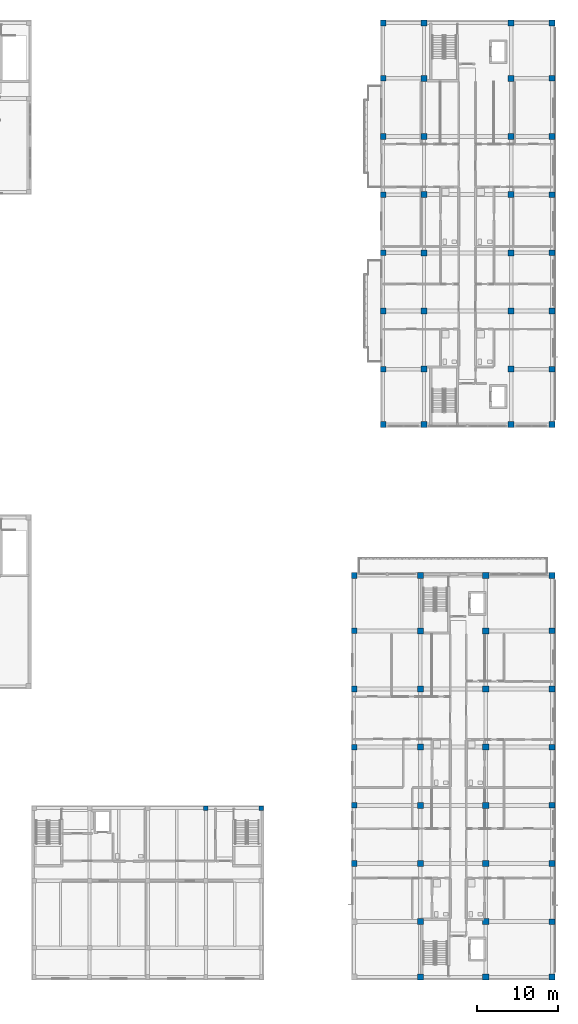
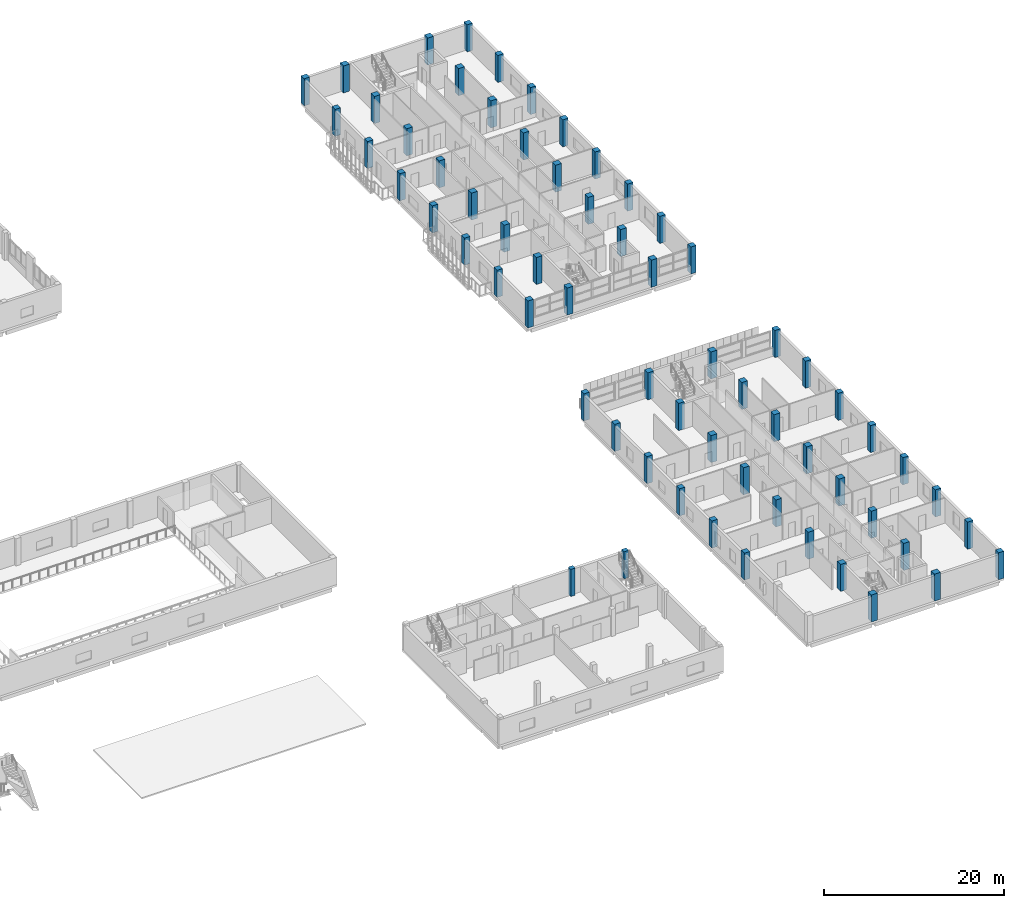
# One storey, part 2 of 73: 64 columns.
"""IFC4 building model written with IfcOpenShell, lengths in metres."""

import ifcopenshell
import ifcopenshell.guid

model = None  # the IFC model being written
_history = None  # IfcOwnerHistory: only IFC2X3 demands one
_inside = {}  # id of a spatial element -> (the spatial element, [elements in it])
_under = {}  # id of a project, library or spatial element -> (it, [spatial elements below it])
_declared = {}  # id of a project -> (the project, [libraries it declares])
_typed = {}  # id of a type object -> (the type object, [elements of that type])
_made_of = {}  # id of a material, layer set ... -> (it, [elements and type objects made of it])


def new_model(schema):
    """Start an empty IFC model of exactly this schema.

    Asked for "IFC4X3", IfcOpenShell would pick the latest addendum, in which some entities
    have other attributes; the version numbers below select the first issue.
    IFC2X3 requires an IfcOwnerHistory on every rooted entity: one is made here for all.
    """
    global model, _history
    if schema == "IFC4X3":
        model = ifcopenshell.file(schema_version=(4, 3, 0, 0))
    else:
        model = ifcopenshell.file(schema=schema)
    _inside.clear()
    _under.clear()
    _declared.clear()
    _typed.clear()
    _made_of.clear()
    _history = None
    if model.schema == "IFC2X3":
        org = make("IfcOrganization", Name="unknown")
        user = make(
            "IfcPersonAndOrganization",
            ThePerson=make("IfcPerson", FamilyName="unknown"),
            TheOrganization=org,
        )
        app = make(
            "IfcApplication",
            ApplicationDeveloper=org,
            Version="unknown",
            ApplicationFullName="unknown",
            ApplicationIdentifier="unknown",
        )
        _history = make(
            "IfcOwnerHistory",
            OwningUser=user,
            OwningApplication=app,
            ChangeAction="ADDED",
            CreationDate=0,
        )
    return model


def make(cls, **values):
    """One entity of the class cls with the attributes given. An attribute that is None is left unset."""
    return model.create_entity(
        cls, **{name: value for name, value in values.items() if value is not None}
    )


def rooted(cls, **values):
    """An entity with a GlobalId (a new one), such as an element, a storey or a relation."""
    return make(cls, GlobalId=ifcopenshell.guid.new(), OwnerHistory=_history, **values)


def si_unit(unit_type, name, prefix=None):
    """IfcSIUnit, for example si_unit("LENGTHUNIT", "METRE", prefix="MILLI")."""
    return make("IfcSIUnit", UnitType=unit_type, Prefix=prefix, Name=name)


def derived_unit(unit_type, elements):
    """IfcDerivedUnit: a product of units, each with its exponent."""
    return make(
        "IfcDerivedUnit",
        Elements=[
            make("IfcDerivedUnitElement", Unit=unit, Exponent=power)
            for unit, power in elements
        ],
        UnitType=unit_type,
    )


def assignment(units):
    """IfcUnitAssignment: the units of a project."""
    return None if units is None else make("IfcUnitAssignment", Units=units)


def point(xyz):
    """IfcCartesianPoint."""
    return None if xyz is None else make("IfcCartesianPoint", Coordinates=xyz)


def direction(xyz):
    """IfcDirection."""
    return None if xyz is None else make("IfcDirection", DirectionRatios=xyz)


def frame(location, z_axis=None, x_axis=None):
    """IfcAxis2Placement3D, a coordinate frame: its origin and axes. An axis left out is left unset."""
    return make(
        "IfcAxis2Placement3D",
        Location=point(location),
        Axis=direction(z_axis),
        RefDirection=direction(x_axis),
    )


def frame_2d(location, x_axis=None):
    """IfcAxis2Placement2D, a coordinate frame in the plane: its origin and x axis."""
    return make(
        "IfcAxis2Placement2D", Location=point(location), RefDirection=direction(x_axis)
    )


def origin():
    """The frame at (0, 0, 0) with its axes left unset."""
    return frame((0.0, 0.0, 0.0))


def origin_2d():
    """The frame at (0, 0) in the plane with its x axis left unset."""
    return frame_2d((0.0, 0.0))


def place(relative_to, where):
    """IfcLocalPlacement: puts the frame where relative to a parent placement (None: the world)."""
    return make(
        "IfcLocalPlacement", PlacementRelTo=relative_to, RelativePlacement=where
    )


def context(
    kind, dimensions, precision=None, world=None, true_north=None, identifier=None
):
    """IfcGeometricRepresentationContext, for example the 3D "Model" context."""
    return make(
        "IfcGeometricRepresentationContext",
        ContextIdentifier=identifier,
        ContextType=kind,
        CoordinateSpaceDimension=dimensions,
        Precision=precision,
        WorldCoordinateSystem=world,
        TrueNorth=true_north,
    )


def subcontext(parent, identifier, kind, view, scale=None):
    """IfcGeometricRepresentationSubContext, for example "Body" below "Model"."""
    return make(
        "IfcGeometricRepresentationSubContext",
        ContextIdentifier=identifier,
        ContextType=kind,
        ParentContext=parent,
        TargetScale=scale,
        TargetView=view,
    )


def project(units=None, contexts=None):
    """IfcProject with its units and contexts."""
    return rooted(
        "IfcProject",
        Name="project",
        RepresentationContexts=contexts,
        UnitsInContext=assignment(units),
    )


def spatial(cls, under=None, at=None, **own):
    """A site, building, storey or space (cls), placed at a placement, below another one or the project."""
    s = rooted(cls, ObjectPlacement=at, **own)
    if under is not None:
        _under.setdefault(under.id(), (under, []))[1].append(s)
    return s


def profile(cls, at=None, kind="AREA", **sizes):
    """A parametric profile (cls). Its sizes go by their IFC names, for example OverallWidth=200.0."""
    return make(cls, ProfileType=kind, Position=at, **sizes)


def rectangle(**sizes):
    """IfcRectangleProfileDef."""
    return profile("IfcRectangleProfileDef", **sizes)


def extrude(swept, where, along, depth):
    """IfcExtrudedAreaSolid: the profile swept, set in the frame where, extruded along a direction by depth."""
    return make(
        "IfcExtrudedAreaSolid",
        SweptArea=swept,
        Position=where,
        ExtrudedDirection=direction(along),
        Depth=depth,
    )


def shape(context_of_items, identifier, shape_type, items):
    """IfcShapeRepresentation: the items that make up one representation, for example the "Body"."""
    return make(
        "IfcShapeRepresentation",
        ContextOfItems=context_of_items,
        RepresentationIdentifier=identifier,
        RepresentationType=shape_type,
        Items=items,
    )


def material(Name=None, Category=None):
    """IfcMaterial."""
    return make("IfcMaterial", Name=Name, Category=Category)


def material_profile(
    of_material, cross_section, Name=None, Category=None, Priority=None
):
    """IfcMaterialProfile: a cross section and its material."""
    return make(
        "IfcMaterialProfile",
        Name=Name,
        Material=of_material,
        Profile=cross_section,
        Priority=Priority,
        Category=Category,
    )


def profile_set(profiles, Name=None, composite=None):
    """IfcMaterialProfileSet."""
    return make(
        "IfcMaterialProfileSet",
        Name=Name,
        MaterialProfiles=profiles,
        CompositeProfile=composite,
    )


def made_of(thing, what):
    """Note that an element or type object is made of a material, layer set ...; save() writes the relation."""
    if what is not None:
        _made_of.setdefault(what.id(), (what, []))[1].append(thing)
    return thing


def type_object(cls, material=None, **own):
    """A type object (cls), such as IfcWallType, which elements share."""
    return made_of(rooted(cls, **own), material)


def element(
    cls,
    number,
    at=None,
    inside=None,
    cuts=None,
    type_object=None,
    material=None,
    context=None,
    identifier="Body",
    shape_type=None,
    held_by="IfcProductDefinitionShape",
    body=None,
    shapes=None,
    **own,
):
    """One element of the class cls, such as IfcWall. Its Tag is "e" and its number.

    at: its placement. inside: the storey or other place that contains it. cuts: it is an
    opening in that element (IfcRelVoidsElement). A single representation is given by context,
    identifier, shape_type and body (its items); several are given by shapes. held_by: the class
    of the entity that holds the representations. save() writes the other relations.
    """
    e = rooted(cls, Tag="e%d" % number, ObjectPlacement=at, **own)
    if body is not None:
        shapes = [shape(context, identifier, shape_type, body)]
    if shapes is not None:
        e.Representation = make(held_by, Representations=shapes)
    if inside is not None:
        _inside.setdefault(inside.id(), (inside, []))[1].append(e)
    if cuts is not None:
        rooted(
            "IfcRelVoidsElement", RelatingBuildingElement=cuts, RelatedOpeningElement=e
        )
    if type_object is not None:
        _typed.setdefault(type_object.id(), (type_object, []))[1].append(e)
    return made_of(e, material)


def aggregate(whole, parts):
    """IfcRelAggregates: a whole, such as a stair, and the parts it consists of."""
    return rooted("IfcRelAggregates", RelatingObject=whole, RelatedObjects=parts)


def save(model, path):
    """Write the relations noted so far, then the file.

    IfcRelAggregates (storeys below a building ...), IfcRelContainedInSpatialStructure (elements
    in a storey), IfcRelDefinesByType, IfcRelAssociatesMaterial and IfcRelDeclares: one each for
    every whole, place, type object, material and project.
    """
    for whole, parts in _under.values():
        aggregate(whole, parts)
    for where, things in _inside.values():
        rooted(
            "IfcRelContainedInSpatialStructure",
            RelatedElements=things,
            RelatingStructure=where,
        )
    for kind, things in _typed.values():
        rooted("IfcRelDefinesByType", RelatedObjects=things, RelatingType=kind)
    for what, things in _made_of.values():
        rooted("IfcRelAssociatesMaterial", RelatedObjects=things, RelatingMaterial=what)
    for by, libraries in _declared.values():
        rooted("IfcRelDeclares", RelatingContext=by, RelatedDefinitions=libraries)
    model.write(path)


model = new_model("IFC4")

# Units and contexts
model_context = context("Model", 3, precision=1e-05, world=origin(), true_north=direction((0.0, 1.0)))
body_context = subcontext(model_context, "Body", "Model", "MODEL_VIEW")
ifc_project = project(units=[si_unit("LENGTHUNIT", "METRE"), si_unit("AREAUNIT", "SQUARE_METRE"), si_unit("VOLUMEUNIT", "CUBIC_METRE"), si_unit("PLANEANGLEUNIT", "RADIAN"), si_unit("MASSUNIT", "GRAM", prefix="KILO"), derived_unit("THERMALTRANSMITTANCEUNIT", [(si_unit("MASSUNIT", "GRAM", prefix="KILO"), 1), (si_unit("TIMEUNIT", "SECOND"), -3), (si_unit("THERMODYNAMICTEMPERATUREUNIT", "KELVIN"), -1)])], contexts=[model_context])

# Site, building, storey
site_placement = place(None, origin())
site = spatial("IfcSite", under=ifc_project, at=site_placement, CompositionType="ELEMENT")
building_placement = place(site_placement, origin())
building = spatial("IfcBuilding", under=site, at=building_placement, Name="Ochrekiln Boulevard Commons", CompositionType="ELEMENT")
storey_placement = place(building_placement, frame((0.0, 0.0, 4.89990234375)))
storey = spatial("IfcBuildingStorey", under=building, at=storey_placement, Name="L01", CompositionType="ELEMENT", Elevation=4.89990234375)

# Columns
ifc_material_1 = material(Name="Concrete C35/45", Category="concrete")
ifc_material_profile_1 = material_profile(ifc_material_1, rectangle(XDim=0.550048828125, YDim=0.550048828125, at=origin_2d()), Name="RC-COL-550x550")
ifc_profile_set_1 = profile_set([ifc_material_profile_1], Name="Concrete C35/45")
column_type_1 = type_object("IfcColumnType", Name="COL-RC-550", PredefinedType="COLUMN", material=ifc_profile_set_1)
for number, where, z_axis, x_axis, name in (
    (1, (129.60009765625, 21.25, 0.0), (0.0, 0.0, 1.0), (1.0, 0.0, 0.0), "East Boulevard Shops and Arcade L01 Column C-550 (16)"),
    (2, (136.449951171875, 21.25, 0.0), (0.0, 0.0, 1.0), (1.0, 0.0, 0.0), "East Boulevard Shops and Arcade L01 Column C-550 (20)"),
):
    element("IfcColumn", number, at=place(storey_placement, frame(where, z_axis=z_axis, x_axis=x_axis)), inside=storey, type_object=column_type_1, Name=name, PredefinedType="COLUMN", context=body_context, shape_type="SweptSolid", body=[
        extrude(rectangle(XDim=0.550048828125, YDim=0.550048828125, at=origin_2d()), origin(), (0.0, 0.0, 1.0), 3.675048828125),
    ])
ifc_material_2 = material(Name="Concrete C40/50", Category="concrete")
ifc_material_profile_2 = material_profile(ifc_material_2, rectangle(XDim=0.699951171875, YDim=0.699951171875, at=origin_2d()), Name="RC-COL-700x700")
ifc_profile_set_2 = profile_set([ifc_material_profile_2], Name="Concrete C40/50")
column_type_2 = type_object("IfcColumnType", Name="COL-RC-700", PredefinedType="COLUMN", material=ifc_profile_set_2)
for number, where, z_axis, x_axis, name in (
    (3, (151.550048828125, 68.75, 0.0), (0.0, 0.0, 1.0), (1.0, 0.0, 0.0), "Block B L01 Column C-700 (1)"),
    (4, (151.550048828125, 75.60009765625, 0.0), (0.0, 0.0, 1.0), (1.0, 0.0, 0.0), "Block B L01 Column C-700 (2)"),
    (5, (151.550048828125, 82.800048828125, 0.0), (0.0, 0.0, 1.0), (1.0, 0.0, 0.0), "Block B L01 Column C-700 (3)"),
    (6, (151.550048828125, 90.0, 0.0), (0.0, 0.0, 1.0), (1.0, 0.0, 0.0), "Block B L01 Column C-700 (4)"),
    (7, (151.550048828125, 97.199951171875, 0.0), (0.0, 0.0, 1.0), (1.0, 0.0, 0.0), "Block B L01 Column C-700 (5)"),
    (8, (151.550048828125, 104.39990234375, 0.0), (0.0, 0.0, 1.0), (1.0, 0.0, 0.0), "Block B L01 Column C-700 (6)"),
    (9, (151.550048828125, 111.60009765625, 0.0), (0.0, 0.0, 1.0), (1.0, 0.0, 0.0), "Block B L01 Column C-700 (7)"),
    (10, (151.550048828125, 118.449951171875, 0.0), (0.0, 0.0, 1.0), (1.0, 0.0, 0.0), "Block B L01 Column C-700 (8)"),
    (11, (172.449951171875, 68.75, 0.0), (0.0, 0.0, 1.0), (1.0, 0.0, 0.0), "Block B L01 Column C-700 (25)"),
    (12, (172.449951171875, 75.60009765625, 0.0), (0.0, 0.0, 1.0), (1.0, 0.0, 0.0), "Block B L01 Column C-700 (26)"),
    (13, (172.449951171875, 82.800048828125, 0.0), (0.0, 0.0, 1.0), (1.0, 0.0, 0.0), "Block B L01 Column C-700 (27)"),
    (14, (172.449951171875, 90.0, 0.0), (0.0, 0.0, 1.0), (1.0, 0.0, 0.0), "Block B L01 Column C-700 (28)"),
    (15, (172.449951171875, 97.199951171875, 0.0), (0.0, 0.0, 1.0), (1.0, 0.0, 0.0), "Block B L01 Column C-700 (29)"),
    (16, (172.449951171875, 104.39990234375, 0.0), (0.0, 0.0, 1.0), (1.0, 0.0, 0.0), "Block B L01 Column C-700 (30)"),
    (17, (172.449951171875, 111.60009765625, 0.0), (0.0, 0.0, 1.0), (1.0, 0.0, 0.0), "Block B L01 Column C-700 (31)"),
    (18, (172.449951171875, 118.449951171875, 0.0), (0.0, 0.0, 1.0), (1.0, 0.0, 0.0), "Block B L01 Column C-700 (32)"),
    (19, (147.949951171875, 14.39990234375, 0.0), (0.0, 0.0, 1.0), (1.0, 0.0, 0.0), "Block C L01 Column C-700 (3)"),
    (20, (147.949951171875, 21.60009765625, 0.0), (0.0, 0.0, 1.0), (1.0, 0.0, 0.0), "Block C L01 Column C-700 (4)"),
    (21, (147.949951171875, 28.800048828125, 0.0), (0.0, 0.0, 1.0), (1.0, 0.0, 0.0), "Block C L01 Column C-700 (5)"),
    (22, (147.949951171875, 36.0, 0.0), (0.0, 0.0, 1.0), (1.0, 0.0, 0.0), "Block C L01 Column C-700 (6)"),
    (23, (147.949951171875, 43.199951171875, 0.0), (0.0, 0.0, 1.0), (1.0, 0.0, 0.0), "Block C L01 Column C-700 (7)"),
    (24, (147.949951171875, 50.050048828125, 0.0), (0.0, 0.0, 1.0), (1.0, 0.0, 0.0), "Block C L01 Column C-700 (8)"),
    (25, (172.449951171875, 0.35009765625, 0.0), (0.0, 0.0, 1.0), (1.0, 0.0, 0.0), "Block C L01 Column C-700 (25)"),
    (26, (172.449951171875, 7.199951171875, 0.0), (0.0, 0.0, 1.0), (1.0, 0.0, 0.0), "Block C L01 Column C-700 (26)"),
    (27, (172.449951171875, 14.39990234375, 0.0), (0.0, 0.0, 1.0), (1.0, 0.0, 0.0), "Block C L01 Column C-700 (27)"),
    (28, (172.449951171875, 21.60009765625, 0.0), (0.0, 0.0, 1.0), (1.0, 0.0, 0.0), "Block C L01 Column C-700 (28)"),
    (29, (172.449951171875, 28.800048828125, 0.0), (0.0, 0.0, 1.0), (1.0, 0.0, 0.0), "Block C L01 Column C-700 (29)"),
    (30, (172.449951171875, 36.0, 0.0), (0.0, 0.0, 1.0), (1.0, 0.0, 0.0), "Block C L01 Column C-700 (30)"),
    (31, (172.449951171875, 43.199951171875, 0.0), (0.0, 0.0, 1.0), (1.0, 0.0, 0.0), "Block C L01 Column C-700 (31)"),
    (32, (172.449951171875, 50.050048828125, 0.0), (0.0, 0.0, 1.0), (1.0, 0.0, 0.0), "Block C L01 Column C-700 (32)"),
):
    element("IfcColumn", number, at=place(storey_placement, frame(where, z_axis=z_axis, x_axis=x_axis)), inside=storey, type_object=column_type_2, Name=name, PredefinedType="COLUMN", context=body_context, shape_type="SweptSolid", body=[
        extrude(rectangle(XDim=0.699951171875, YDim=0.699951171875, at=origin_2d()), origin(), (0.0, 0.0, 1.0), 3.675048828125),
    ])
ifc_material_profile_3 = material_profile(ifc_material_2, rectangle(XDim=0.75, YDim=0.75, at=origin_2d()), Name="RC-COL-750x750")
ifc_profile_set_3 = profile_set([ifc_material_profile_3], Name="Concrete C40/50")
column_type_3 = type_object("IfcColumnType", Name="COL-RC-750", PredefinedType="COLUMN", material=ifc_profile_set_3)
for number, where, z_axis, x_axis, name in (
    (33, (156.60009765625, 68.75, 0.0), (0.0, 0.0, 1.0), (1.0, 0.0, 0.0), "Block B L01 Column C-750 (9)"),
    (34, (156.60009765625, 75.60009765625, 0.0), (0.0, 0.0, 1.0), (1.0, 0.0, 0.0), "Block B L01 Column C-750 (10)"),
    (35, (156.60009765625, 82.800048828125, 0.0), (0.0, 0.0, 1.0), (1.0, 0.0, 0.0), "Block B L01 Column C-750 (11)"),
    (36, (156.60009765625, 90.0, 0.0), (0.0, 0.0, 1.0), (1.0, 0.0, 0.0), "Block B L01 Column C-750 (12)"),
    (37, (156.60009765625, 97.199951171875, 0.0), (0.0, 0.0, 1.0), (1.0, 0.0, 0.0), "Block B L01 Column C-750 (13)"),
    (38, (156.60009765625, 104.39990234375, 0.0), (0.0, 0.0, 1.0), (1.0, 0.0, 0.0), "Block B L01 Column C-750 (14)"),
    (39, (156.60009765625, 111.60009765625, 0.0), (0.0, 0.0, 1.0), (1.0, 0.0, 0.0), "Block B L01 Column C-750 (15)"),
    (40, (156.60009765625, 118.449951171875, 0.0), (0.0, 0.0, 1.0), (1.0, 0.0, 0.0), "Block B L01 Column C-750 (16)"),
    (41, (167.39990234375, 68.75, 0.0), (0.0, 0.0, 1.0), (1.0, 0.0, 0.0), "Block B L01 Column C-750 (17)"),
    (42, (167.39990234375, 75.60009765625, 0.0), (0.0, 0.0, 1.0), (1.0, 0.0, 0.0), "Block B L01 Column C-750 (18)"),
    (43, (167.39990234375, 82.800048828125, 0.0), (0.0, 0.0, 1.0), (1.0, 0.0, 0.0), "Block B L01 Column C-750 (19)"),
    (44, (167.39990234375, 90.0, 0.0), (0.0, 0.0, 1.0), (1.0, 0.0, 0.0), "Block B L01 Column C-750 (20)"),
    (45, (167.39990234375, 97.199951171875, 0.0), (0.0, 0.0, 1.0), (1.0, 0.0, 0.0), "Block B L01 Column C-750 (21)"),
    (46, (167.39990234375, 104.39990234375, 0.0), (0.0, 0.0, 1.0), (1.0, 0.0, 0.0), "Block B L01 Column C-750 (22)"),
    (47, (167.39990234375, 111.60009765625, 0.0), (0.0, 0.0, 1.0), (1.0, 0.0, 0.0), "Block B L01 Column C-750 (23)"),
    (48, (167.39990234375, 118.449951171875, 0.0), (0.0, 0.0, 1.0), (1.0, 0.0, 0.0), "Block B L01 Column C-750 (24)"),
    (49, (156.14990234375, 0.35009765625, 0.0), (0.0, 0.0, 1.0), (1.0, 0.0, 0.0), "Block C L01 Column C-750 (9)"),
    (50, (156.14990234375, 7.199951171875, 0.0), (0.0, 0.0, 1.0), (1.0, 0.0, 0.0), "Block C L01 Column C-750 (10)"),
    (51, (156.14990234375, 14.39990234375, 0.0), (0.0, 0.0, 1.0), (1.0, 0.0, 0.0), "Block C L01 Column C-750 (11)"),
    (52, (156.14990234375, 21.60009765625, 0.0), (0.0, 0.0, 1.0), (1.0, 0.0, 0.0), "Block C L01 Column C-750 (12)"),
    (53, (156.14990234375, 28.800048828125, 0.0), (0.0, 0.0, 1.0), (1.0, 0.0, 0.0), "Block C L01 Column C-750 (13)"),
    (54, (156.14990234375, 36.0, 0.0), (0.0, 0.0, 1.0), (1.0, 0.0, 0.0), "Block C L01 Column C-750 (14)"),
    (55, (156.14990234375, 43.199951171875, 0.0), (0.0, 0.0, 1.0), (1.0, 0.0, 0.0), "Block C L01 Column C-750 (15)"),
    (56, (156.14990234375, 50.050048828125, 0.0), (0.0, 0.0, 1.0), (1.0, 0.0, 0.0), "Block C L01 Column C-750 (16)"),
    (57, (164.25, 0.35009765625, 0.0), (0.0, 0.0, 1.0), (1.0, 0.0, 0.0), "Block C L01 Column C-750 (17)"),
    (58, (164.25, 7.199951171875, 0.0), (0.0, 0.0, 1.0), (1.0, 0.0, 0.0), "Block C L01 Column C-750 (18)"),
    (59, (164.25, 14.39990234375, 0.0), (0.0, 0.0, 1.0), (1.0, 0.0, 0.0), "Block C L01 Column C-750 (19)"),
    (60, (164.25, 21.60009765625, 0.0), (0.0, 0.0, 1.0), (1.0, 0.0, 0.0), "Block C L01 Column C-750 (20)"),
    (61, (164.25, 28.800048828125, 0.0), (0.0, 0.0, 1.0), (1.0, 0.0, 0.0), "Block C L01 Column C-750 (21)"),
    (62, (164.25, 36.0, 0.0), (0.0, 0.0, 1.0), (1.0, 0.0, 0.0), "Block C L01 Column C-750 (22)"),
    (63, (164.25, 43.199951171875, 0.0), (0.0, 0.0, 1.0), (1.0, 0.0, 0.0), "Block C L01 Column C-750 (23)"),
    (64, (164.25, 50.050048828125, 0.0), (0.0, 0.0, 1.0), (1.0, 0.0, 0.0), "Block C L01 Column C-750 (24)"),
):
    element("IfcColumn", number, at=place(storey_placement, frame(where, z_axis=z_axis, x_axis=x_axis)), inside=storey, type_object=column_type_3, Name=name, PredefinedType="COLUMN", context=body_context, shape_type="SweptSolid", body=[
        extrude(rectangle(XDim=0.75, YDim=0.75, at=origin_2d()), origin(), (0.0, 0.0, 1.0), 3.675048828125),
    ])

save(model, "model.ifc")
